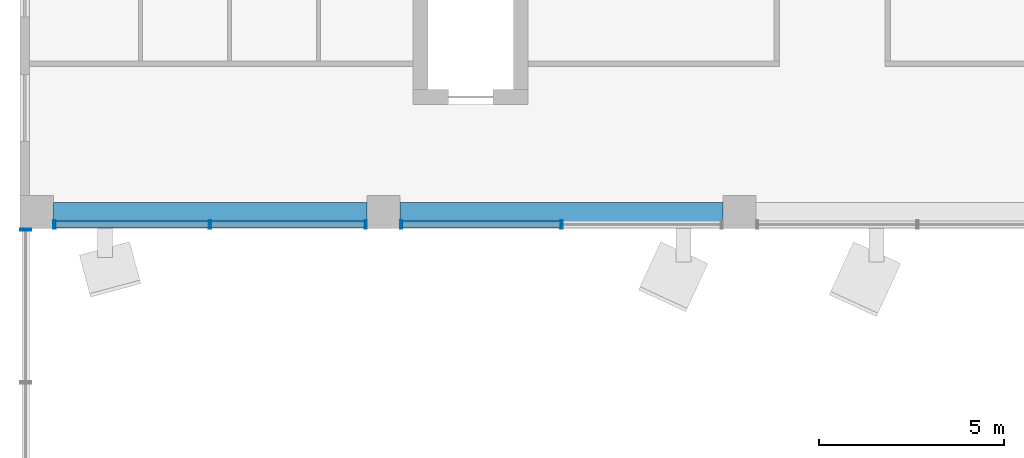
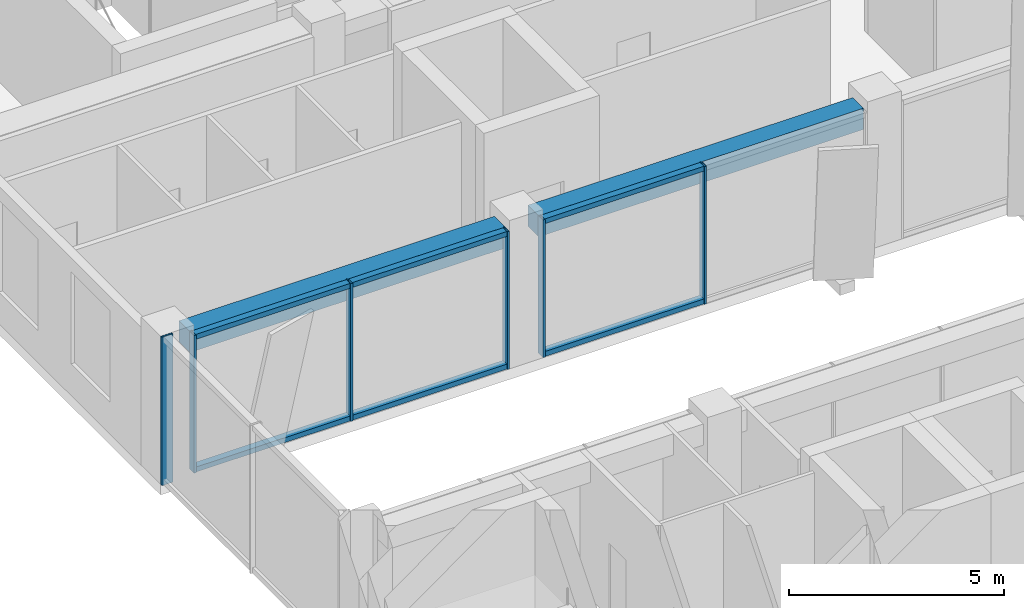
# One storey, part 8 of 38: 12 members, 2 beams, 3 elements without a shape of their own.
"""IFC4 building model written with IfcOpenShell, lengths in metres."""

from ifc_helpers import new_model, si_unit, direction, frame, origin, origin_2d, place, context, subcontext, project, spatial, rectangle, hollow_rectangle, extrude, material, layer, layer_set, material_profile, profile_set, type_object, element, aggregate, save


model = new_model("IFC4")

# Units and contexts
model_context = context("Model", 3, precision=1e-05, world=origin(), true_north=direction((0.0, 1.0)))
body_context = subcontext(model_context, "Body", "Model", "MODEL_VIEW")
ifc_project = project(units=[si_unit("LENGTHUNIT", "METRE"), si_unit("AREAUNIT", "SQUARE_METRE"), si_unit("VOLUMEUNIT", "CUBIC_METRE"), si_unit("PLANEANGLEUNIT", "RADIAN"), si_unit("MASSUNIT", "GRAM", prefix="KILO")], contexts=[model_context])

# Site, building, storey
site_placement = place(None, origin())
site = spatial("IfcSite", under=ifc_project, at=site_placement, CompositionType="ELEMENT")
building_placement = place(site_placement, origin())
building = spatial("IfcBuilding", under=site, at=building_placement, Name="Nzadi Deep Aquarium and Research Tower", CompositionType="ELEMENT")
storey_placement = place(building_placement, frame((0.0, 0.0, 48.699951171875)))
storey = spatial("IfcBuildingStorey", under=building, at=storey_placement, Name="L09", CompositionType="ELEMENT", Elevation=48.699951171875)

# Curtain wall, members
ifc_material_1 = material(Name="Aluminium unitised frame deep", Category="aluminium")
ifc_layer_1 = layer(ifc_material_1, 0.22509765625)
ifc_layer_set_1 = layer_set([ifc_layer_1], Name="Aluminium unitised frame deep")
curtain_wall_type_1 = type_object("IfcCurtainWallType", Name="Curtain wall Unitised Deep 225", PredefinedType="NOTDEFINED", material=ifc_layer_set_1)
curtain_wall_1_placement = place(storey_placement, origin())
curtain_wall_1 = element("IfcCurtainWall", 1, at=curtain_wall_1_placement, inside=storey, type_object=curtain_wall_type_1, Name="Unitised curtain wall blade B south L09", PredefinedType="NOTDEFINED")
ifc_material_2 = material(Name="Aluminium unitised frame deep", Category="aluminium")
ifc_material_profile_1 = material_profile(ifc_material_2, hollow_rectangle(XDim=0.22509765625, YDim=0.06005859375, WallThickness=0.0048828125, at=origin_2d()))
ifc_profile_set_1 = profile_set([ifc_material_profile_1], Name="Aluminium unitised frame deep")
member_type_1 = type_object("IfcMemberType", Name="Mullion 60x225 Unitised Deep", PredefinedType="MULLION", material=ifc_profile_set_1)
member_1_placement = place(storey_placement, frame((0.72998046875, 27.262451171875, 0.0), z_axis=(0.0, 0.0, 1.0), x_axis=(0.0, 1.0, 0.0)))
member_1 = element("IfcMember", 2, at=member_1_placement, type_object=member_type_1, Name="CW118 mullion 1", PredefinedType="MULLION", context=body_context, shape_type="SweptSolid", body=[
    extrude(hollow_rectangle(XDim=0.22509765625, YDim=0.06005859375, WallThickness=0.0048828125, at=origin_2d()), origin(), (0.0, 0.0, 1.0), 3.900146484375),
])
member_2_placement = place(storey_placement, frame((4.925048828125, 27.262451171875, 0.0), z_axis=(0.0, 0.0, 1.0), x_axis=(0.0, 1.0, 0.0)))
member_2 = element("IfcMember", 3, at=member_2_placement, type_object=member_type_1, Name="CW118 mullion 2", PredefinedType="MULLION", context=body_context, shape_type="SweptSolid", body=[
    extrude(hollow_rectangle(XDim=0.22509765625, YDim=0.06005859375, WallThickness=0.0048828125, at=origin_2d()), origin(), (0.0, 0.0, 1.0), 3.900146484375),
])
member_3_placement = place(storey_placement, frame((9.1201171875, 27.262451171875, 0.0), z_axis=(0.0, 0.0, 1.0), x_axis=(0.0, 1.0, 0.0)))
member_3 = element("IfcMember", 4, at=member_3_placement, type_object=member_type_1, Name="CW118 mullion 3", PredefinedType="MULLION", context=body_context, shape_type="SweptSolid", body=[
    extrude(hollow_rectangle(XDim=0.22509765625, YDim=0.06005859375, WallThickness=0.0048828125, at=origin_2d()), origin(), (0.0, 0.0, 1.0), 3.900146484375),
])

curtain_wall_2_placement = place(storey_placement, origin())
curtain_wall_2 = element("IfcCurtainWall", 5, at=curtain_wall_2_placement, inside=storey, type_object=curtain_wall_type_1, Name="Unitised curtain wall blade B south L09", PredefinedType="NOTDEFINED")
member_4_placement = place(storey_placement, frame((10.080078125, 27.262451171875, 0.0), z_axis=(0.0, 0.0, 1.0), x_axis=(0.0, 1.0, 0.0)))
member_4 = element("IfcMember", 6, at=member_4_placement, type_object=member_type_1, Name="CW119 mullion 1", PredefinedType="MULLION", context=body_context, shape_type="SweptSolid", body=[
    extrude(hollow_rectangle(XDim=0.22509765625, YDim=0.06005859375, WallThickness=0.0048828125, at=origin_2d()), origin(), (0.0, 0.0, 1.0), 3.900146484375),
])
member_5_placement = place(storey_placement, frame((14.39990234375, 27.262451171875, 0.0), z_axis=(0.0, 0.0, 1.0), x_axis=(0.0, 1.0, 0.0)))
member_5 = element("IfcMember", 7, at=member_5_placement, type_object=member_type_1, Name="CW119 mullion 2", PredefinedType="MULLION", context=body_context, shape_type="SweptSolid", body=[
    extrude(hollow_rectangle(XDim=0.22509765625, YDim=0.06005859375, WallThickness=0.0048828125, at=origin_2d()), origin(), (0.0, 0.0, 1.0), 3.900146484375),
])

# Curtain wall, member
ifc_material_3 = material(Name="Aluminium unitised frame wind post", Category="aluminium")
ifc_layer_2 = layer(ifc_material_3, 0.300048828125)
ifc_layer_set_2 = layer_set([ifc_layer_2], Name="Aluminium unitised frame wind post")
curtain_wall_type_2 = type_object("IfcCurtainWallType", Name="Curtain wall Slot End 300", PredefinedType="NOTDEFINED", material=ifc_layer_set_2)
curtain_wall_3_placement = place(storey_placement, origin())
curtain_wall_3 = element("IfcCurtainWall", 8, at=curtain_wall_3_placement, inside=storey, type_object=curtain_wall_type_2, Name="Glazed slot end west L09", PredefinedType="NOTDEFINED")
ifc_material_4 = material(Name="Aluminium unitised frame wind post", Category="aluminium")
ifc_material_profile_2 = material_profile(ifc_material_4, hollow_rectangle(XDim=0.300048828125, YDim=0.06005859375, WallThickness=0.0048828125, at=origin_2d()))
ifc_profile_set_2 = profile_set([ifc_material_profile_2], Name="Aluminium unitised frame wind post")
member_type_2 = type_object("IfcMemberType", Name="Mullion 60x300 Slot End", PredefinedType="MULLION", material=ifc_profile_set_2)
member_6_placement = place(storey_placement, frame((-0.049560546875, 27.1201171875, 0.0), z_axis=(0.0, 0.0, 1.0), x_axis=(-1.0, 0.0, 0.0)))
member_6 = element("IfcMember", 9, at=member_6_placement, type_object=member_type_2, Name="CW209 mullion 3", PredefinedType="MULLION", context=body_context, shape_type="SweptSolid", body=[
    extrude(hollow_rectangle(XDim=0.300048828125, YDim=0.06005859375, WallThickness=0.0048828125, at=origin_2d()), origin(), (0.0, 0.0, 1.0), 4.199951171875),
])
aggregate(curtain_wall_3, [member_6])

# Beams
ifc_material_5 = material(Name="Concrete C35/45", Category="concrete")
ifc_material_profile_3 = material_profile(ifc_material_5, rectangle(XDim=0.5, YDim=0.60009765625, at=origin_2d()))
ifc_profile_set_3 = profile_set([ifc_material_profile_3], Name="Concrete C35/45")
beam_type = type_object("IfcBeamType", Name="RC 500x600", PredefinedType="BEAM", material=ifc_profile_set_3)
beam_1_placement = place(storey_placement, frame((0.699951171875, 27.60009765625, 3.60009765625), z_axis=(1.0, 0.0, 0.0), x_axis=(0.0, 1.0, 0.0)))
element("IfcBeam", 10, at=beam_1_placement, inside=storey, type_object=beam_type, Name="B-Z1-L09-L4-1", PredefinedType="BEAM", context=body_context, shape_type="SweptSolid", body=[
    extrude(rectangle(XDim=0.5, YDim=0.60009765625, at=origin_2d()), origin(), (0.0, 0.0, 1.0), 8.449951171875),
])
beam_2_placement = place(storey_placement, frame((10.050048828125, 27.60009765625, 3.60009765625), z_axis=(1.0, 0.0, 0.0), x_axis=(0.0, 1.0, 0.0)))
element("IfcBeam", 11, at=beam_2_placement, inside=storey, type_object=beam_type, Name="B-Z1-L09-L4-2", PredefinedType="BEAM", context=body_context, shape_type="SweptSolid", body=[
    extrude(rectangle(XDim=0.5, YDim=0.60009765625, at=origin_2d()), origin(), (0.0, 0.0, 1.0), 8.699951171875),
])

# Member
ifc_material_6 = material(Name="Aluminium unitised frame deep", Category="aluminium")
ifc_material_profile_4 = material_profile(ifc_material_6, hollow_rectangle(XDim=0.179931640625, YDim=0.139892578125, WallThickness=0.0048828125, at=origin_2d()))
ifc_profile_set_4 = profile_set([ifc_material_profile_4], Name="Aluminium unitised frame deep")
member_type_3 = type_object("IfcMemberType", Name="Transom 140x180 Unitised Deep", PredefinedType="MULLION", material=ifc_profile_set_4)
member_7_placement = place(storey_placement, frame((0.760009765625, 27.262451171875, 0.070068359375), z_axis=(1.0, 0.0, 0.0), x_axis=(0.0, 1.0, 0.0)))
member_7 = element("IfcMember", 12, at=member_7_placement, type_object=member_type_3, Name="CW118 transom 1.1", PredefinedType="MULLION", context=body_context, shape_type="SweptSolid", body=[
    extrude(hollow_rectangle(XDim=0.179931640625, YDim=0.139892578125, WallThickness=0.0048828125, at=origin_2d()), origin(), (0.0, 0.0, 1.0), 4.135009765625),
])

member_8_placement = place(storey_placement, frame((0.760009765625, 27.262451171875, 3.830078125), z_axis=(1.0, 0.0, 0.0), x_axis=(0.0, 1.0, 0.0)))
member_8 = element("IfcMember", 13, at=member_8_placement, type_object=member_type_3, Name="CW118 transom 1.2", PredefinedType="MULLION", context=body_context, shape_type="SweptSolid", body=[
    extrude(hollow_rectangle(XDim=0.179931640625, YDim=0.139892578125, WallThickness=0.0048828125, at=origin_2d()), origin(), (0.0, 0.0, 1.0), 4.135009765625),
])

member_9_placement = place(storey_placement, frame((4.955078125, 27.262451171875, 0.070068359375), z_axis=(1.0, 0.0, 0.0), x_axis=(0.0, 1.0, 0.0)))
member_9 = element("IfcMember", 14, at=member_9_placement, type_object=member_type_3, Name="CW118 transom 2.1", PredefinedType="MULLION", context=body_context, shape_type="SweptSolid", body=[
    extrude(hollow_rectangle(XDim=0.179931640625, YDim=0.139892578125, WallThickness=0.0048828125, at=origin_2d()), origin(), (0.0, 0.0, 1.0), 4.135009765625),
])

member_10_placement = place(storey_placement, frame((4.955078125, 27.262451171875, 3.830078125), z_axis=(1.0, 0.0, 0.0), x_axis=(0.0, 1.0, 0.0)))
member_10 = element("IfcMember", 15, at=member_10_placement, type_object=member_type_3, Name="CW118 transom 2.2", PredefinedType="MULLION", context=body_context, shape_type="SweptSolid", body=[
    extrude(hollow_rectangle(XDim=0.179931640625, YDim=0.139892578125, WallThickness=0.0048828125, at=origin_2d()), origin(), (0.0, 0.0, 1.0), 4.135009765625),
])

aggregate(curtain_wall_1, [member_1, member_2, member_3, member_7, member_8, member_9, member_10])

member_11_placement = place(storey_placement, frame((10.110107421875, 27.262451171875, 0.070068359375), z_axis=(1.0, 0.0, 0.0), x_axis=(0.0, 1.0, 0.0)))
member_11 = element("IfcMember", 16, at=member_11_placement, type_object=member_type_3, Name="CW119 transom 1.1", PredefinedType="MULLION", context=body_context, shape_type="SweptSolid", body=[
    extrude(hollow_rectangle(XDim=0.179931640625, YDim=0.139892578125, WallThickness=0.0048828125, at=origin_2d()), origin(), (0.0, 0.0, 1.0), 4.260009765625),
])

member_12_placement = place(storey_placement, frame((10.110107421875, 27.262451171875, 3.830078125), z_axis=(1.0, 0.0, 0.0), x_axis=(0.0, 1.0, 0.0)))
member_12 = element("IfcMember", 17, at=member_12_placement, type_object=member_type_3, Name="CW119 transom 1.2", PredefinedType="MULLION", context=body_context, shape_type="SweptSolid", body=[
    extrude(hollow_rectangle(XDim=0.179931640625, YDim=0.139892578125, WallThickness=0.0048828125, at=origin_2d()), origin(), (0.0, 0.0, 1.0), 4.260009765625),
])

aggregate(curtain_wall_2, [member_4, member_5, member_11, member_12])

save(model, "model.ifc")
